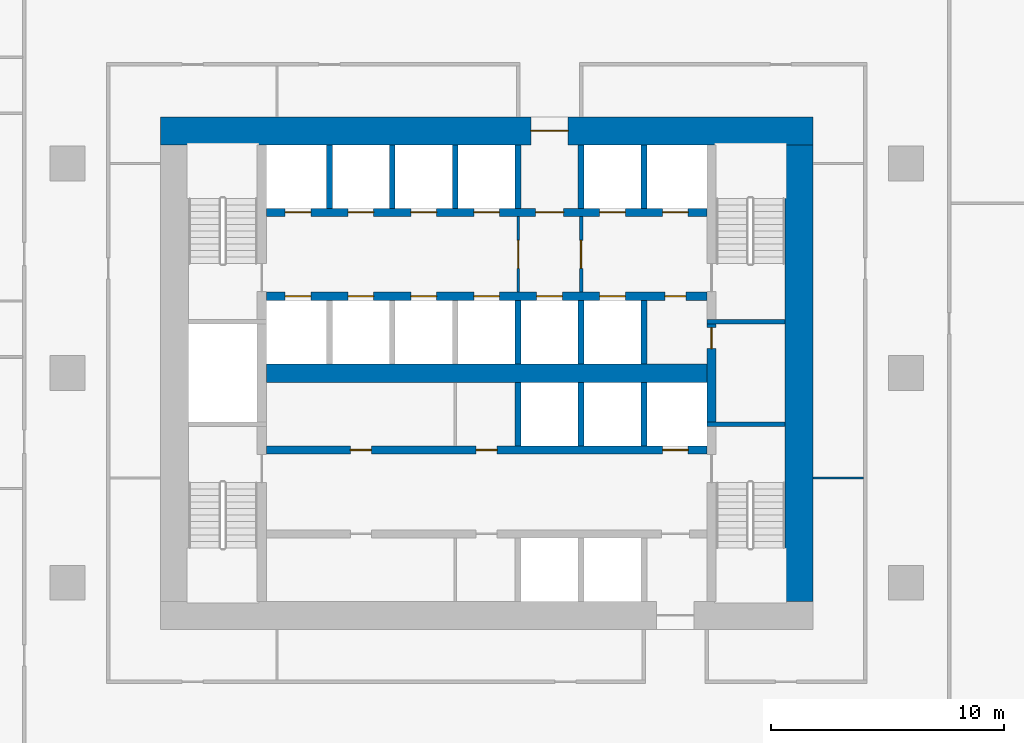
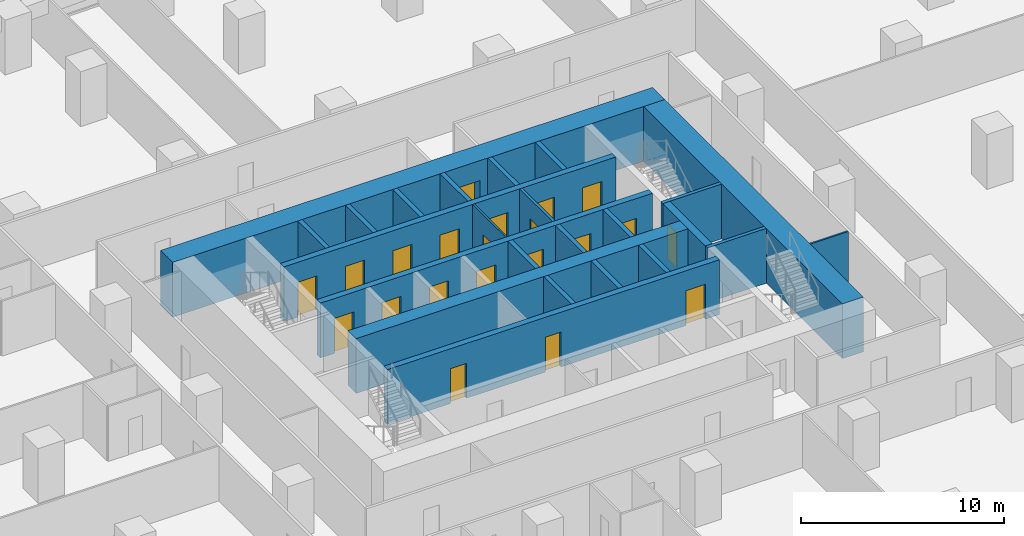
# One storey, part 16 of 25: 24 walls, 21 doors, 21 openings.
"""IFC4 building model written with IfcOpenShell, lengths in metres."""

import ifcopenshell
import ifcopenshell.guid

model = None  # the IFC model being written
_history = None  # IfcOwnerHistory: only IFC2X3 demands one
_inside = {}  # id of a spatial element -> (the spatial element, [elements in it])
_under = {}  # id of a project, library or spatial element -> (it, [spatial elements below it])
_declared = {}  # id of a project -> (the project, [libraries it declares])
_typed = {}  # id of a type object -> (the type object, [elements of that type])
_made_of = {}  # id of a material, layer set ... -> (it, [elements and type objects made of it])


def new_model(schema):
    """Start an empty IFC model of exactly this schema.

    Asked for "IFC4X3", IfcOpenShell would pick the latest addendum, in which some entities
    have other attributes; the version numbers below select the first issue.
    IFC2X3 requires an IfcOwnerHistory on every rooted entity: one is made here for all.
    """
    global model, _history
    if schema == "IFC4X3":
        model = ifcopenshell.file(schema_version=(4, 3, 0, 0))
    else:
        model = ifcopenshell.file(schema=schema)
    _inside.clear()
    _under.clear()
    _declared.clear()
    _typed.clear()
    _made_of.clear()
    _history = None
    if model.schema == "IFC2X3":
        org = make("IfcOrganization", Name="unknown")
        user = make(
            "IfcPersonAndOrganization",
            ThePerson=make("IfcPerson", FamilyName="unknown"),
            TheOrganization=org,
        )
        app = make(
            "IfcApplication",
            ApplicationDeveloper=org,
            Version="unknown",
            ApplicationFullName="unknown",
            ApplicationIdentifier="unknown",
        )
        _history = make(
            "IfcOwnerHistory",
            OwningUser=user,
            OwningApplication=app,
            ChangeAction="ADDED",
            CreationDate=0,
        )
    return model


def make(cls, **values):
    """One entity of the class cls with the attributes given. An attribute that is None is left unset."""
    return model.create_entity(
        cls, **{name: value for name, value in values.items() if value is not None}
    )


def rooted(cls, **values):
    """An entity with a GlobalId (a new one), such as an element, a storey or a relation."""
    return make(cls, GlobalId=ifcopenshell.guid.new(), OwnerHistory=_history, **values)


def si_unit(unit_type, name, prefix=None):
    """IfcSIUnit, for example si_unit("LENGTHUNIT", "METRE", prefix="MILLI")."""
    return make("IfcSIUnit", UnitType=unit_type, Prefix=prefix, Name=name)


def assignment(units):
    """IfcUnitAssignment: the units of a project."""
    return None if units is None else make("IfcUnitAssignment", Units=units)


def point(xyz):
    """IfcCartesianPoint."""
    return None if xyz is None else make("IfcCartesianPoint", Coordinates=xyz)


def direction(xyz):
    """IfcDirection."""
    return None if xyz is None else make("IfcDirection", DirectionRatios=xyz)


def frame(location, z_axis=None, x_axis=None):
    """IfcAxis2Placement3D, a coordinate frame: its origin and axes. An axis left out is left unset."""
    return make(
        "IfcAxis2Placement3D",
        Location=point(location),
        Axis=direction(z_axis),
        RefDirection=direction(x_axis),
    )


def frame_2d(location, x_axis=None):
    """IfcAxis2Placement2D, a coordinate frame in the plane: its origin and x axis."""
    return make(
        "IfcAxis2Placement2D", Location=point(location), RefDirection=direction(x_axis)
    )


def origin():
    """The frame at (0, 0, 0) with its axes left unset."""
    return frame((0.0, 0.0, 0.0))


def place(relative_to, where):
    """IfcLocalPlacement: puts the frame where relative to a parent placement (None: the world)."""
    return make(
        "IfcLocalPlacement", PlacementRelTo=relative_to, RelativePlacement=where
    )


def context(
    kind, dimensions, precision=None, world=None, true_north=None, identifier=None
):
    """IfcGeometricRepresentationContext, for example the 3D "Model" context."""
    return make(
        "IfcGeometricRepresentationContext",
        ContextIdentifier=identifier,
        ContextType=kind,
        CoordinateSpaceDimension=dimensions,
        Precision=precision,
        WorldCoordinateSystem=world,
        TrueNorth=true_north,
    )


def subcontext(parent, identifier, kind, view, scale=None):
    """IfcGeometricRepresentationSubContext, for example "Body" below "Model"."""
    return make(
        "IfcGeometricRepresentationSubContext",
        ContextIdentifier=identifier,
        ContextType=kind,
        ParentContext=parent,
        TargetScale=scale,
        TargetView=view,
    )


def project(units=None, contexts=None):
    """IfcProject with its units and contexts."""
    return rooted(
        "IfcProject",
        Name="project",
        RepresentationContexts=contexts,
        UnitsInContext=assignment(units),
    )


def spatial(cls, under=None, at=None, **own):
    """A site, building, storey or space (cls), placed at a placement, below another one or the project."""
    s = rooted(cls, ObjectPlacement=at, **own)
    if under is not None:
        _under.setdefault(under.id(), (under, []))[1].append(s)
    return s


def profile(cls, at=None, kind="AREA", **sizes):
    """A parametric profile (cls). Its sizes go by their IFC names, for example OverallWidth=200.0."""
    return make(cls, ProfileType=kind, Position=at, **sizes)


def rectangle(**sizes):
    """IfcRectangleProfileDef."""
    return profile("IfcRectangleProfileDef", **sizes)


def extrude(swept, where, along, depth):
    """IfcExtrudedAreaSolid: the profile swept, set in the frame where, extruded along a direction by depth."""
    return make(
        "IfcExtrudedAreaSolid",
        SweptArea=swept,
        Position=where,
        ExtrudedDirection=direction(along),
        Depth=depth,
    )


def shape(context_of_items, identifier, shape_type, items):
    """IfcShapeRepresentation: the items that make up one representation, for example the "Body"."""
    return make(
        "IfcShapeRepresentation",
        ContextOfItems=context_of_items,
        RepresentationIdentifier=identifier,
        RepresentationType=shape_type,
        Items=items,
    )


def material(Name=None, Category=None):
    """IfcMaterial."""
    return make("IfcMaterial", Name=Name, Category=Category)


def layer(
    of_material, thickness, ventilated=None, Name=None, Category=None, Priority=None
):
    """IfcMaterialLayer: one layer of a wall or slab, of a material (None: an air gap)."""
    return make(
        "IfcMaterialLayer",
        Material=of_material,
        LayerThickness=thickness,
        IsVentilated=ventilated,
        Name=Name,
        Category=Category,
        Priority=Priority,
    )


def layer_set(layers, Name=None):
    """IfcMaterialLayerSet."""
    return make("IfcMaterialLayerSet", MaterialLayers=layers, LayerSetName=Name)


def made_of(thing, what):
    """Note that an element or type object is made of a material, layer set ...; save() writes the relation."""
    if what is not None:
        _made_of.setdefault(what.id(), (what, []))[1].append(thing)
    return thing


def type_object(cls, material=None, **own):
    """A type object (cls), such as IfcWallType, which elements share."""
    return made_of(rooted(cls, **own), material)


def element(
    cls,
    number,
    at=None,
    inside=None,
    cuts=None,
    type_object=None,
    material=None,
    context=None,
    identifier="Body",
    shape_type=None,
    held_by="IfcProductDefinitionShape",
    body=None,
    shapes=None,
    **own,
):
    """One element of the class cls, such as IfcWall. Its Tag is "e" and its number.

    at: its placement. inside: the storey or other place that contains it. cuts: it is an
    opening in that element (IfcRelVoidsElement). A single representation is given by context,
    identifier, shape_type and body (its items); several are given by shapes. held_by: the class
    of the entity that holds the representations. save() writes the other relations.
    """
    e = rooted(cls, Tag="e%d" % number, ObjectPlacement=at, **own)
    if body is not None:
        shapes = [shape(context, identifier, shape_type, body)]
    if shapes is not None:
        e.Representation = make(held_by, Representations=shapes)
    if inside is not None:
        _inside.setdefault(inside.id(), (inside, []))[1].append(e)
    if cuts is not None:
        rooted(
            "IfcRelVoidsElement", RelatingBuildingElement=cuts, RelatedOpeningElement=e
        )
    if type_object is not None:
        _typed.setdefault(type_object.id(), (type_object, []))[1].append(e)
    return made_of(e, material)


def fill(opening, filler):
    """IfcRelFillsElement: the door or window that sits in an opening."""
    return rooted(
        "IfcRelFillsElement",
        RelatingOpeningElement=opening,
        RelatedBuildingElement=filler,
    )


def aggregate(whole, parts):
    """IfcRelAggregates: a whole, such as a stair, and the parts it consists of."""
    return rooted("IfcRelAggregates", RelatingObject=whole, RelatedObjects=parts)


def save(model, path):
    """Write the relations noted so far, then the file.

    IfcRelAggregates (storeys below a building ...), IfcRelContainedInSpatialStructure (elements
    in a storey), IfcRelDefinesByType, IfcRelAssociatesMaterial and IfcRelDeclares: one each for
    every whole, place, type object, material and project.
    """
    for whole, parts in _under.values():
        aggregate(whole, parts)
    for where, things in _inside.values():
        rooted(
            "IfcRelContainedInSpatialStructure",
            RelatedElements=things,
            RelatingStructure=where,
        )
    for kind, things in _typed.values():
        rooted("IfcRelDefinesByType", RelatedObjects=things, RelatingType=kind)
    for what, things in _made_of.values():
        rooted("IfcRelAssociatesMaterial", RelatedObjects=things, RelatingMaterial=what)
    for by, libraries in _declared.values():
        rooted("IfcRelDeclares", RelatingContext=by, RelatedDefinitions=libraries)
    model.write(path)


model = new_model("IFC4")

# Units and contexts
model_context = context("Model", 3, precision=1e-05, world=origin(), true_north=direction((0.0, 1.0)))
body_context = subcontext(model_context, "Body", "Model", "MODEL_VIEW")
ifc_project = project(units=[si_unit("LENGTHUNIT", "METRE"), si_unit("AREAUNIT", "SQUARE_METRE"), si_unit("VOLUMEUNIT", "CUBIC_METRE"), si_unit("PLANEANGLEUNIT", "RADIAN"), si_unit("MASSUNIT", "GRAM", prefix="KILO")], contexts=[model_context])

# Site, building, storey
site_placement = place(None, origin())
site = spatial("IfcSite", under=ifc_project, at=site_placement, CompositionType="ELEMENT")
building_placement = place(site_placement, origin())
building = spatial("IfcBuilding", under=site, at=building_placement, Name="Dongbaek Canopy Tower", CompositionType="ELEMENT")
storey_placement = place(building_placement, frame((0.0, 0.0, 81.0)))
storey = spatial("IfcBuildingStorey", under=building, at=storey_placement, Name="L16", CompositionType="ELEMENT", Elevation=81.0)

# Wall
ifc_material_1 = material(Name="Concrete C60/75", Category="concrete")
ifc_layer_1 = layer(ifc_material_1, 0.800048828125)
ifc_layer_set_1 = layer_set([ifc_layer_1], Name="Core central wall 800 Concrete C60/75")
wall_type_1 = type_object("IfcWallType", Name="Core central wall 800 Concrete C60/75", PredefinedType="SHEAR", material=ifc_layer_set_1)
wall_1_placement = place(storey_placement, frame((-9.449951171875, 0.0, 0.0), z_axis=(0.0, 0.0, 1.0), x_axis=(1.0, 0.0, 0.0)))
element("IfcWall", 1, at=wall_1_placement, inside=storey, type_object=wall_type_1, Name="Core wall", PredefinedType="SHEAR", context=body_context, shape_type="SweptSolid", body=[
    extrude(rectangle(XDim=18.89990234375, YDim=0.800048828125, at=frame_2d((9.449951171875, 0.0))), origin(), (0.0, 0.0, 1.0), 3.300048828125),
])

# Wall, openings, doors
ifc_material_2 = material(Name="Concrete C60/75", Category="concrete")
ifc_layer_2 = layer(ifc_material_2, 0.35009765625)
ifc_layer_set_2 = layer_set([ifc_layer_2], Name="Core lobby wall 350 Concrete C60/75")
wall_type_2 = type_object("IfcWallType", Name="Core lobby wall 350 Concrete C60/75", PredefinedType="SHEAR", material=ifc_layer_set_2)
wall_2_placement = place(storey_placement, frame((-9.449951171875, 6.89990234375, 0.0), z_axis=(0.0, 0.0, 1.0), x_axis=(1.0, 0.0, 0.0)))
wall_2 = element("IfcWall", 2, at=wall_2_placement, inside=storey, type_object=wall_type_2, Name="Core wall", PredefinedType="SHEAR", context=body_context, shape_type="SweptSolid", body=[
    extrude(rectangle(XDim=18.89990234375, YDim=0.35009765625, at=frame_2d((9.449951171875, 0.0))), origin(), (0.0, 0.0, 1.0), 3.300048828125),
])
opening_1_placement = place(wall_2_placement, frame((0.800048828125, 0.0, 0.0)))
opening_1 = element("IfcOpeningElement", 3, at=opening_1_placement, cuts=wall_2, Name="Opening L16-D023", PredefinedType="OPENING", context=body_context, shape_type="SweptSolid", body=[
    extrude(rectangle(XDim=1.10009765625, YDim=2.10009765625, at=frame_2d((0.550048828125, 1.050048828125))), frame((0.0, 0.18505859375, 0.0), z_axis=(0.0, -1.0, 0.0), x_axis=(1.0, 0.0, 0.0)), (0.0, 0.0, 1.0), 0.3701171875),
])
opening_2_placement = place(wall_2_placement, frame((3.5, 0.0, 0.0)))
opening_2 = element("IfcOpeningElement", 4, at=opening_2_placement, cuts=wall_2, Name="Opening L16-D024", PredefinedType="OPENING", context=body_context, shape_type="SweptSolid", body=[
    extrude(rectangle(XDim=1.10009765625, YDim=2.10009765625, at=frame_2d((0.550048828125, 1.050048828125))), frame((0.0, 0.18505859375, 0.0), z_axis=(0.0, -1.0, 0.0), x_axis=(1.0, 0.0, 0.0)), (0.0, 0.0, 1.0), 0.3701171875),
])
opening_3_placement = place(wall_2_placement, frame((6.199951171875, 0.0, 0.0)))
opening_3 = element("IfcOpeningElement", 5, at=opening_3_placement, cuts=wall_2, Name="Opening L16-D025", PredefinedType="OPENING", context=body_context, shape_type="SweptSolid", body=[
    extrude(rectangle(XDim=1.10009765625, YDim=2.10009765625, at=frame_2d((0.550048828125, 1.050048828125))), frame((0.0, 0.18505859375, 0.0), z_axis=(0.0, -1.0, 0.0), x_axis=(1.0, 0.0, 0.0)), (0.0, 0.0, 1.0), 0.3701171875),
])
opening_4_placement = place(wall_2_placement, frame((8.89990234375, 0.0, 0.0)))
opening_4 = element("IfcOpeningElement", 6, at=opening_4_placement, cuts=wall_2, Name="Opening L16-D026", PredefinedType="OPENING", context=body_context, shape_type="SweptSolid", body=[
    extrude(rectangle(XDim=1.10009765625, YDim=2.10009765625, at=frame_2d((0.550048828125, 1.050048828125))), frame((0.0, 0.18505859375, 0.0), z_axis=(0.0, -1.0, 0.0), x_axis=(1.0, 0.0, 0.0)), (0.0, 0.0, 1.0), 0.3701171875),
])
opening_5_placement = place(wall_2_placement, frame((11.550048828125, 0.0, 0.0)))
opening_5 = element("IfcOpeningElement", 7, at=opening_5_placement, cuts=wall_2, Name="Opening L16-D028", PredefinedType="OPENING", context=body_context, shape_type="SweptSolid", body=[
    extrude(rectangle(XDim=1.199951171875, YDim=2.10009765625, at=frame_2d((0.60009765625, 1.050048828125))), frame((0.0, 0.18505859375, 0.0), z_axis=(0.0, -1.0, 0.0), x_axis=(1.0, 0.0, 0.0)), (0.0, 0.0, 1.0), 0.3701171875),
])
opening_6_placement = place(wall_2_placement, frame((14.300048828125, 0.0, 0.0)))
opening_6 = element("IfcOpeningElement", 8, at=opening_6_placement, cuts=wall_2, Name="Opening L16-D029", PredefinedType="OPENING", context=body_context, shape_type="SweptSolid", body=[
    extrude(rectangle(XDim=1.10009765625, YDim=2.10009765625, at=frame_2d((0.550048828125, 1.050048828125))), frame((0.0, 0.18505859375, 0.0), z_axis=(0.0, -1.0, 0.0), x_axis=(1.0, 0.0, 0.0)), (0.0, 0.0, 1.0), 0.3701171875),
])
opening_7_placement = place(wall_2_placement, frame((17.0, 0.0, 0.0)))
opening_7 = element("IfcOpeningElement", 9, at=opening_7_placement, cuts=wall_2, Name="Opening L16-D030", PredefinedType="OPENING", context=body_context, shape_type="SweptSolid", body=[
    extrude(rectangle(XDim=1.10009765625, YDim=2.10009765625, at=frame_2d((0.550048828125, 1.050048828125))), frame((0.0, 0.18505859375, 0.0), z_axis=(0.0, -1.0, 0.0), x_axis=(1.0, 0.0, 0.0)), (0.0, 0.0, 1.0), 0.3701171875),
])
ifc_material_3 = material(Name="Steel", Category="steel")
door_type_1 = type_object("IfcDoorType", Name="Fire lobby door 1200 x 2100", OperationType="SINGLE_SWING_LEFT", PredefinedType="DOOR", material=ifc_material_3)
door_1_placement = place(opening_5_placement, origin())
door_1 = element("IfcDoor", 10, at=door_1_placement, inside=storey, type_object=door_type_1, Name="Door L16-D028", OperationType="SINGLE_SWING_LEFT", OverallHeight=2.10009765625, OverallWidth=1.199951171875, PredefinedType="DOOR", context=body_context, shape_type="SweptSolid", body=[
    extrude(rectangle(XDim=1.199951171875, YDim=2.10009765625, at=frame_2d((0.60009765625, 1.050048828125))), frame((0.0, 0.02490234375, 0.0), z_axis=(0.0, -1.0, 0.0), x_axis=(1.0, 0.0, 0.0)), (0.0, 0.0, 1.0), 0.050048828125),
])
fill(opening_5, door_1)
ifc_material_4 = material(Name="Stainless steel", Category="steel")
door_type_2 = type_object("IfcDoorType", Name="Lift landing door 1100 x 2100", OperationType="DOUBLE_DOOR_SLIDING", PredefinedType="DOOR", material=ifc_material_4)
door_2_placement = place(opening_1_placement, origin())
door_2 = element("IfcDoor", 11, at=door_2_placement, inside=storey, type_object=door_type_2, Name="Landing door LR1", OperationType="DOUBLE_DOOR_SLIDING", OverallHeight=2.10009765625, OverallWidth=1.10009765625, PredefinedType="DOOR", context=body_context, shape_type="SweptSolid", body=[
    extrude(rectangle(XDim=1.10009765625, YDim=2.10009765625, at=frame_2d((0.550048828125, 1.050048828125))), frame((0.0, 0.02490234375, 0.0), z_axis=(0.0, -1.0, 0.0), x_axis=(1.0, 0.0, 0.0)), (0.0, 0.0, 1.0), 0.050048828125),
])
fill(opening_1, door_2)
door_3_placement = place(opening_2_placement, origin())
door_3 = element("IfcDoor", 12, at=door_3_placement, inside=storey, type_object=door_type_2, Name="Landing door LR2", OperationType="DOUBLE_DOOR_SLIDING", OverallHeight=2.10009765625, OverallWidth=1.10009765625, PredefinedType="DOOR", context=body_context, shape_type="SweptSolid", body=[
    extrude(rectangle(XDim=1.10009765625, YDim=2.10009765625, at=frame_2d((0.550048828125, 1.050048828125))), frame((0.0, 0.02490234375, 0.0), z_axis=(0.0, -1.0, 0.0), x_axis=(1.0, 0.0, 0.0)), (0.0, 0.0, 1.0), 0.050048828125),
])
fill(opening_2, door_3)
door_4_placement = place(opening_3_placement, origin())
door_4 = element("IfcDoor", 13, at=door_4_placement, inside=storey, type_object=door_type_2, Name="Landing door LR3", OperationType="DOUBLE_DOOR_SLIDING", OverallHeight=2.10009765625, OverallWidth=1.10009765625, PredefinedType="DOOR", context=body_context, shape_type="SweptSolid", body=[
    extrude(rectangle(XDim=1.10009765625, YDim=2.10009765625, at=frame_2d((0.550048828125, 1.050048828125))), frame((0.0, 0.02490234375, 0.0), z_axis=(0.0, -1.0, 0.0), x_axis=(1.0, 0.0, 0.0)), (0.0, 0.0, 1.0), 0.050048828125),
])
fill(opening_3, door_4)
door_5_placement = place(opening_4_placement, origin())
door_5 = element("IfcDoor", 14, at=door_5_placement, inside=storey, type_object=door_type_2, Name="Landing door LR4", OperationType="DOUBLE_DOOR_SLIDING", OverallHeight=2.10009765625, OverallWidth=1.10009765625, PredefinedType="DOOR", context=body_context, shape_type="SweptSolid", body=[
    extrude(rectangle(XDim=1.10009765625, YDim=2.10009765625, at=frame_2d((0.550048828125, 1.050048828125))), frame((0.0, 0.02490234375, 0.0), z_axis=(0.0, -1.0, 0.0), x_axis=(1.0, 0.0, 0.0)), (0.0, 0.0, 1.0), 0.050048828125),
])
fill(opening_4, door_5)
door_6_placement = place(opening_6_placement, origin())
door_6 = element("IfcDoor", 15, at=door_6_placement, inside=storey, type_object=door_type_2, Name="Landing door FF1", OperationType="DOUBLE_DOOR_SLIDING", OverallHeight=2.10009765625, OverallWidth=1.10009765625, PredefinedType="DOOR", context=body_context, shape_type="SweptSolid", body=[
    extrude(rectangle(XDim=1.10009765625, YDim=2.10009765625, at=frame_2d((0.550048828125, 1.050048828125))), frame((0.0, 0.02490234375, 0.0), z_axis=(0.0, -1.0, 0.0), x_axis=(1.0, 0.0, 0.0)), (0.0, 0.0, 1.0), 0.050048828125),
])
fill(opening_6, door_6)
door_7_placement = place(opening_7_placement, origin())
door_7 = element("IfcDoor", 16, at=door_7_placement, inside=storey, type_object=door_type_2, Name="Landing door FF2", OperationType="DOUBLE_DOOR_SLIDING", OverallHeight=2.10009765625, OverallWidth=1.10009765625, PredefinedType="DOOR", context=body_context, shape_type="SweptSolid", body=[
    extrude(rectangle(XDim=1.10009765625, YDim=2.10009765625, at=frame_2d((0.550048828125, 1.050048828125))), frame((0.0, 0.02490234375, 0.0), z_axis=(0.0, -1.0, 0.0), x_axis=(1.0, 0.0, 0.0)), (0.0, 0.0, 1.0), 0.050048828125),
])
fill(opening_7, door_7)

wall_3_placement = place(storey_placement, frame((9.449951171875, 3.300048828125, 0.0), z_axis=(0.0, 0.0, 1.0), x_axis=(-1.0, 0.0, 0.0)))
wall_3 = element("IfcWall", 17, at=wall_3_placement, inside=storey, type_object=wall_type_2, Name="Core wall", PredefinedType="SHEAR", context=body_context, shape_type="SweptSolid", body=[
    extrude(rectangle(XDim=18.89990234375, YDim=0.35009765625, at=frame_2d((9.449951171875, 0.0))), origin(), (0.0, 0.0, 1.0), 3.300048828125),
])
opening_8_placement = place(wall_3_placement, frame((17.0, 0.0, 0.0)))
opening_8 = element("IfcOpeningElement", 18, at=opening_8_placement, cuts=wall_3, Name="Opening L16-D031", PredefinedType="OPENING", context=body_context, shape_type="SweptSolid", body=[
    extrude(rectangle(XDim=1.10009765625, YDim=2.10009765625, at=frame_2d((0.550048828125, 1.050048828125))), frame((0.0, 0.18505859375, 0.0), z_axis=(0.0, -1.0, 0.0), x_axis=(1.0, 0.0, 0.0)), (0.0, 0.0, 1.0), 0.3701171875),
])
opening_9_placement = place(wall_3_placement, frame((14.300048828125, 0.0, 0.0)))
opening_9 = element("IfcOpeningElement", 19, at=opening_9_placement, cuts=wall_3, Name="Opening L16-D032", PredefinedType="OPENING", context=body_context, shape_type="SweptSolid", body=[
    extrude(rectangle(XDim=1.10009765625, YDim=2.10009765625, at=frame_2d((0.550048828125, 1.050048828125))), frame((0.0, 0.18505859375, 0.0), z_axis=(0.0, -1.0, 0.0), x_axis=(1.0, 0.0, 0.0)), (0.0, 0.0, 1.0), 0.3701171875),
])
opening_10_placement = place(wall_3_placement, frame((11.60009765625, 0.0, 0.0)))
opening_10 = element("IfcOpeningElement", 20, at=opening_10_placement, cuts=wall_3, Name="Opening L16-D033", PredefinedType="OPENING", context=body_context, shape_type="SweptSolid", body=[
    extrude(rectangle(XDim=1.10009765625, YDim=2.10009765625, at=frame_2d((0.550048828125, 1.050048828125))), frame((0.0, 0.18505859375, 0.0), z_axis=(0.0, -1.0, 0.0), x_axis=(1.0, 0.0, 0.0)), (0.0, 0.0, 1.0), 0.3701171875),
])
opening_11_placement = place(wall_3_placement, frame((8.89990234375, 0.0, 0.0)))
opening_11 = element("IfcOpeningElement", 21, at=opening_11_placement, cuts=wall_3, Name="Opening L16-D034", PredefinedType="OPENING", context=body_context, shape_type="SweptSolid", body=[
    extrude(rectangle(XDim=1.10009765625, YDim=2.10009765625, at=frame_2d((0.550048828125, 1.050048828125))), frame((0.0, 0.18505859375, 0.0), z_axis=(0.0, -1.0, 0.0), x_axis=(1.0, 0.0, 0.0)), (0.0, 0.0, 1.0), 0.3701171875),
])
opening_12_placement = place(wall_3_placement, frame((6.199951171875, 0.0, 0.0)))
opening_12 = element("IfcOpeningElement", 22, at=opening_12_placement, cuts=wall_3, Name="Opening L16-D035", PredefinedType="OPENING", context=body_context, shape_type="SweptSolid", body=[
    extrude(rectangle(XDim=1.10009765625, YDim=2.10009765625, at=frame_2d((0.550048828125, 1.050048828125))), frame((0.0, 0.18505859375, 0.0), z_axis=(0.0, -1.0, 0.0), x_axis=(1.0, 0.0, 0.0)), (0.0, 0.0, 1.0), 0.3701171875),
])
opening_13_placement = place(wall_3_placement, frame((3.5, 0.0, 0.0)))
opening_13 = element("IfcOpeningElement", 23, at=opening_13_placement, cuts=wall_3, Name="Opening L16-D036", PredefinedType="OPENING", context=body_context, shape_type="SweptSolid", body=[
    extrude(rectangle(XDim=1.10009765625, YDim=2.10009765625, at=frame_2d((0.550048828125, 1.050048828125))), frame((0.0, 0.18505859375, 0.0), z_axis=(0.0, -1.0, 0.0), x_axis=(1.0, 0.0, 0.0)), (0.0, 0.0, 1.0), 0.3701171875),
])
opening_14_placement = place(wall_3_placement, frame((0.89990234375, 0.0, 0.0)))
opening_14 = element("IfcOpeningElement", 24, at=opening_14_placement, cuts=wall_3, Name="Opening L16-D037", PredefinedType="OPENING", context=body_context, shape_type="SweptSolid", body=[
    extrude(rectangle(XDim=0.89990234375, YDim=2.10009765625, at=frame_2d((0.449951171875, 1.050048828125))), frame((0.0, 0.18505859375, 0.0), z_axis=(0.0, -1.0, 0.0), x_axis=(1.0, 0.0, 0.0)), (0.0, 0.0, 1.0), 0.3701171875),
])
ifc_material_5 = material(Name="Steel", Category="steel")
door_type_3 = type_object("IfcDoorType", Name="Core room door 900 x 2100", OperationType="SINGLE_SWING_LEFT", PredefinedType="DOOR", material=ifc_material_5)
door_8_placement = place(opening_14_placement, origin())
door_8 = element("IfcDoor", 25, at=door_8_placement, inside=storey, type_object=door_type_3, Name="Door L16-D037", OperationType="SINGLE_SWING_LEFT", OverallHeight=2.10009765625, OverallWidth=0.89990234375, PredefinedType="DOOR", context=body_context, shape_type="SweptSolid", body=[
    extrude(rectangle(XDim=0.89990234375, YDim=2.10009765625, at=frame_2d((0.449951171875, 1.050048828125))), frame((0.0, 0.02490234375, 0.0), z_axis=(0.0, -1.0, 0.0), x_axis=(1.0, 0.0, 0.0)), (0.0, 0.0, 1.0), 0.050048828125),
])
fill(opening_14, door_8)
door_9_placement = place(opening_8_placement, origin())
door_9 = element("IfcDoor", 26, at=door_9_placement, inside=storey, type_object=door_type_2, Name="Landing door LR5", OperationType="DOUBLE_DOOR_SLIDING", OverallHeight=2.10009765625, OverallWidth=1.10009765625, PredefinedType="DOOR", context=body_context, shape_type="SweptSolid", body=[
    extrude(rectangle(XDim=1.10009765625, YDim=2.10009765625, at=frame_2d((0.550048828125, 1.050048828125))), frame((0.0, 0.02490234375, 0.0), z_axis=(0.0, -1.0, 0.0), x_axis=(1.0, 0.0, 0.0)), (0.0, 0.0, 1.0), 0.050048828125),
])
fill(opening_8, door_9)
door_10_placement = place(opening_9_placement, origin())
door_10 = element("IfcDoor", 27, at=door_10_placement, inside=storey, type_object=door_type_2, Name="Landing door LR6", OperationType="DOUBLE_DOOR_SLIDING", OverallHeight=2.10009765625, OverallWidth=1.10009765625, PredefinedType="DOOR", context=body_context, shape_type="SweptSolid", body=[
    extrude(rectangle(XDim=1.10009765625, YDim=2.10009765625, at=frame_2d((0.550048828125, 1.050048828125))), frame((0.0, 0.02490234375, 0.0), z_axis=(0.0, -1.0, 0.0), x_axis=(1.0, 0.0, 0.0)), (0.0, 0.0, 1.0), 0.050048828125),
])
fill(opening_9, door_10)
door_11_placement = place(opening_10_placement, origin())
door_11 = element("IfcDoor", 28, at=door_11_placement, inside=storey, type_object=door_type_2, Name="Landing door LR7", OperationType="DOUBLE_DOOR_SLIDING", OverallHeight=2.10009765625, OverallWidth=1.10009765625, PredefinedType="DOOR", context=body_context, shape_type="SweptSolid", body=[
    extrude(rectangle(XDim=1.10009765625, YDim=2.10009765625, at=frame_2d((0.550048828125, 1.050048828125))), frame((0.0, 0.02490234375, 0.0), z_axis=(0.0, -1.0, 0.0), x_axis=(1.0, 0.0, 0.0)), (0.0, 0.0, 1.0), 0.050048828125),
])
fill(opening_10, door_11)
door_12_placement = place(opening_11_placement, origin())
door_12 = element("IfcDoor", 29, at=door_12_placement, inside=storey, type_object=door_type_2, Name="Landing door LR8", OperationType="DOUBLE_DOOR_SLIDING", OverallHeight=2.10009765625, OverallWidth=1.10009765625, PredefinedType="DOOR", context=body_context, shape_type="SweptSolid", body=[
    extrude(rectangle(XDim=1.10009765625, YDim=2.10009765625, at=frame_2d((0.550048828125, 1.050048828125))), frame((0.0, 0.02490234375, 0.0), z_axis=(0.0, -1.0, 0.0), x_axis=(1.0, 0.0, 0.0)), (0.0, 0.0, 1.0), 0.050048828125),
])
fill(opening_11, door_12)
door_13_placement = place(opening_12_placement, origin())
door_13 = element("IfcDoor", 30, at=door_13_placement, inside=storey, type_object=door_type_2, Name="Landing door SV1", OperationType="DOUBLE_DOOR_SLIDING", OverallHeight=2.10009765625, OverallWidth=1.10009765625, PredefinedType="DOOR", context=body_context, shape_type="SweptSolid", body=[
    extrude(rectangle(XDim=1.10009765625, YDim=2.10009765625, at=frame_2d((0.550048828125, 1.050048828125))), frame((0.0, 0.02490234375, 0.0), z_axis=(0.0, -1.0, 0.0), x_axis=(1.0, 0.0, 0.0)), (0.0, 0.0, 1.0), 0.050048828125),
])
fill(opening_12, door_13)
door_14_placement = place(opening_13_placement, origin())
door_14 = element("IfcDoor", 31, at=door_14_placement, inside=storey, type_object=door_type_2, Name="Landing door FF3", OperationType="DOUBLE_DOOR_SLIDING", OverallHeight=2.10009765625, OverallWidth=1.10009765625, PredefinedType="DOOR", context=body_context, shape_type="SweptSolid", body=[
    extrude(rectangle(XDim=1.10009765625, YDim=2.10009765625, at=frame_2d((0.550048828125, 1.050048828125))), frame((0.0, 0.02490234375, 0.0), z_axis=(0.0, -1.0, 0.0), x_axis=(1.0, 0.0, 0.0)), (0.0, 0.0, 1.0), 0.050048828125),
])
fill(opening_13, door_14)

wall_4_placement = place(storey_placement, frame((-9.449951171875, -3.300048828125, 0.0), z_axis=(0.0, 0.0, 1.0), x_axis=(1.0, 0.0, 0.0)))
wall_4 = element("IfcWall", 32, at=wall_4_placement, inside=storey, type_object=wall_type_2, Name="Core wall", PredefinedType="SHEAR", context=body_context, shape_type="SweptSolid", body=[
    extrude(rectangle(XDim=18.89990234375, YDim=0.35009765625, at=frame_2d((9.449951171875, 0.0))), origin(), (0.0, 0.0, 1.0), 3.300048828125),
])
opening_15_placement = place(wall_4_placement, frame((17.0, 0.0, 0.0)))
opening_15 = element("IfcOpeningElement", 33, at=opening_15_placement, cuts=wall_4, Name="Opening L16-D038", PredefinedType="OPENING", context=body_context, shape_type="SweptSolid", body=[
    extrude(rectangle(XDim=1.10009765625, YDim=2.10009765625, at=frame_2d((0.550048828125, 1.050048828125))), frame((0.0, 0.18505859375, 0.0), z_axis=(0.0, -1.0, 0.0), x_axis=(1.0, 0.0, 0.0)), (0.0, 0.0, 1.0), 0.3701171875),
])
opening_16_placement = place(wall_4_placement, frame((3.60009765625, 0.0, 0.0)))
opening_16 = element("IfcOpeningElement", 34, at=opening_16_placement, cuts=wall_4, Name="Opening L16-D041", PredefinedType="OPENING", context=body_context, shape_type="SweptSolid", body=[
    extrude(rectangle(XDim=0.89990234375, YDim=2.10009765625, at=frame_2d((0.449951171875, 1.050048828125))), frame((0.0, 0.18505859375, 0.0), z_axis=(0.0, -1.0, 0.0), x_axis=(1.0, 0.0, 0.0)), (0.0, 0.0, 1.0), 0.3701171875),
])
opening_17_placement = place(wall_4_placement, frame((9.0, 0.0, 0.0)))
opening_17 = element("IfcOpeningElement", 35, at=opening_17_placement, cuts=wall_4, Name="Opening L16-D042", PredefinedType="OPENING", context=body_context, shape_type="SweptSolid", body=[
    extrude(rectangle(XDim=0.89990234375, YDim=2.10009765625, at=frame_2d((0.449951171875, 1.050048828125))), frame((0.0, 0.18505859375, 0.0), z_axis=(0.0, -1.0, 0.0), x_axis=(1.0, 0.0, 0.0)), (0.0, 0.0, 1.0), 0.3701171875),
])
door_15_placement = place(opening_16_placement, origin())
door_15 = element("IfcDoor", 36, at=door_15_placement, inside=storey, type_object=door_type_3, Name="Door L16-D041", OperationType="SINGLE_SWING_RIGHT", OverallHeight=2.10009765625, OverallWidth=0.89990234375, PredefinedType="DOOR", context=body_context, shape_type="SweptSolid", body=[
    extrude(rectangle(XDim=0.89990234375, YDim=2.10009765625, at=frame_2d((0.449951171875, 1.050048828125))), frame((0.0, 0.02490234375, 0.0), z_axis=(0.0, -1.0, 0.0), x_axis=(1.0, 0.0, 0.0)), (0.0, 0.0, 1.0), 0.050048828125),
])
fill(opening_16, door_15)
door_16_placement = place(opening_17_placement, origin())
door_16 = element("IfcDoor", 37, at=door_16_placement, inside=storey, type_object=door_type_3, Name="Door L16-D042", OperationType="SINGLE_SWING_LEFT", OverallHeight=2.10009765625, OverallWidth=0.89990234375, PredefinedType="DOOR", context=body_context, shape_type="SweptSolid", body=[
    extrude(rectangle(XDim=0.89990234375, YDim=2.10009765625, at=frame_2d((0.449951171875, 1.050048828125))), frame((0.0, 0.02490234375, 0.0), z_axis=(0.0, -1.0, 0.0), x_axis=(1.0, 0.0, 0.0)), (0.0, 0.0, 1.0), 0.050048828125),
])
fill(opening_17, door_16)
door_17_placement = place(opening_15_placement, origin())
door_17 = element("IfcDoor", 38, at=door_17_placement, inside=storey, type_object=door_type_2, Name="Landing door SV2", OperationType="DOUBLE_DOOR_SLIDING", OverallHeight=2.10009765625, OverallWidth=1.10009765625, PredefinedType="DOOR", context=body_context, shape_type="SweptSolid", body=[
    extrude(rectangle(XDim=1.10009765625, YDim=2.10009765625, at=frame_2d((0.550048828125, 1.050048828125))), frame((0.0, 0.02490234375, 0.0), z_axis=(0.0, -1.0, 0.0), x_axis=(1.0, 0.0, 0.0)), (0.0, 0.0, 1.0), 0.050048828125),
])
fill(opening_15, door_17)

# Wall, opening, door
ifc_material_6 = material(Name="Concrete C60/75", Category="concrete")
ifc_layer_3 = layer(ifc_material_6, 1.199951171875)
ifc_layer_set_3 = layer_set([ifc_layer_3], Name="Core outer wall 1200 Concrete C60/75")
wall_type_3 = type_object("IfcWallType", Name="Core outer wall 1200 Concrete C60/75", PredefinedType="SHEAR", material=ifc_layer_set_3)
wall_5_placement = place(storey_placement, frame((-14.0, 10.39990234375, 0.0), z_axis=(0.0, 0.0, 1.0), x_axis=(1.0, 0.0, 0.0)))
wall_5 = element("IfcWall", 39, at=wall_5_placement, inside=storey, type_object=wall_type_3, Name="Core wall", PredefinedType="SHEAR", context=body_context, shape_type="SweptSolid", body=[
    extrude(rectangle(XDim=28.0, YDim=1.199951171875, at=frame_2d((14.0, 0.0))), origin(), (0.0, 0.0, 1.0), 3.300048828125),
])
opening_18_placement = place(wall_5_placement, frame((15.89990234375, 0.0, 0.0)))
opening_18 = element("IfcOpeningElement", 40, at=opening_18_placement, cuts=wall_5, Name="Opening L16-D027", PredefinedType="OPENING", context=body_context, shape_type="SweptSolid", body=[
    extrude(rectangle(XDim=1.60009765625, YDim=2.10009765625, at=frame_2d((0.800048828125, 1.050048828125))), frame((0.0, 0.60986328125, 0.0), z_axis=(0.0, -1.0, 0.0), x_axis=(1.0, 0.0, 0.0)), (0.0, 0.0, 1.0), 1.219970703125),
])
ifc_material_7 = material(Name="Steel", Category="steel")
door_type_4 = type_object("IfcDoorType", Name="Core exit door 1600 x 2100", OperationType="DOUBLE_DOOR_SINGLE_SWING", PredefinedType="DOOR", material=ifc_material_7)
door_18_placement = place(opening_18_placement, origin())
door_18 = element("IfcDoor", 41, at=door_18_placement, inside=storey, type_object=door_type_4, Name="Core exit door", OperationType="DOUBLE_DOOR_SINGLE_SWING", OverallHeight=2.10009765625, OverallWidth=1.60009765625, PredefinedType="DOOR", context=body_context, shape_type="SweptSolid", body=[
    extrude(rectangle(XDim=1.60009765625, YDim=2.10009765625, at=frame_2d((0.800048828125, 1.050048828125))), frame((0.0, 0.02490234375, 0.0), z_axis=(0.0, -1.0, 0.0), x_axis=(1.0, 0.0, 0.0)), (0.0, 0.0, 1.0), 0.050048828125),
])
fill(opening_18, door_18)

# Wall
wall_6_placement = place(storey_placement, frame((13.39990234375, 9.800048828125, 0.0), z_axis=(0.0, 0.0, 1.0), x_axis=(0.0, -1.0, 0.0)))
element("IfcWall", 42, at=wall_6_placement, inside=storey, type_object=wall_type_3, Name="Core wall", PredefinedType="SHEAR", context=body_context, shape_type="SweptSolid", body=[
    extrude(rectangle(XDim=19.60009765625, YDim=1.199951171875, at=frame_2d((9.800048828125, 0.0))), origin(), (0.0, 0.0, 1.0), 3.300048828125),
])

# Wall, opening, door
ifc_material_8 = material(Name="Gypsum board partition, steel stud, 2 x 15 mm fire board", Category="steel")
ifc_layer_4 = layer(ifc_material_8, 0.14990234375)
ifc_layer_set_4 = layer_set([ifc_layer_4], Name="Fire-rated partition 150 gypsum board")
wall_type_4 = type_object("IfcWallType", Name="Fire-rated partition 150 gypsum board", PredefinedType="PARTITIONING", material=ifc_layer_set_4)
wall_7_placement = place(storey_placement, frame((4.050048828125, 6.72509765625, 0.0), z_axis=(0.0, 0.0, 1.0), x_axis=(0.0, -1.0, 0.0)))
wall_7 = element("IfcWall", 43, at=wall_7_placement, inside=storey, type_object=wall_type_4, Name="Fire lobby partition", PredefinedType="PARTITIONING", context=body_context, shape_type="SweptSolid", body=[
    extrude(rectangle(XDim=3.25, YDim=0.14990234375, at=frame_2d((1.625, 0.0))), origin(), (0.0, 0.0, 1.0), 3.300048828125),
])
opening_19_placement = place(wall_7_placement, frame((1.02490234375, 0.0, 0.0)))
opening_19 = element("IfcOpeningElement", 44, at=opening_19_placement, cuts=wall_7, Name="Opening L16-D050", PredefinedType="OPENING", context=body_context, shape_type="SweptSolid", body=[
    extrude(rectangle(XDim=1.199951171875, YDim=2.10009765625, at=frame_2d((0.60009765625, 1.050048828125))), frame((0.0, 0.0849609375, 0.0), z_axis=(0.0, -1.0, 0.0), x_axis=(1.0, 0.0, 0.0)), (0.0, 0.0, 1.0), 0.169921875),
])
door_19_placement = place(opening_19_placement, origin())
door_19 = element("IfcDoor", 45, at=door_19_placement, inside=storey, type_object=door_type_1, Name="Door L16-D050", OperationType="SINGLE_SWING_RIGHT", OverallHeight=2.10009765625, OverallWidth=1.199951171875, PredefinedType="DOOR", context=body_context, shape_type="SweptSolid", body=[
    extrude(rectangle(XDim=1.199951171875, YDim=2.10009765625, at=frame_2d((0.60009765625, 1.050048828125))), frame((0.0, 0.02490234375, 0.0), z_axis=(0.0, -1.0, 0.0), x_axis=(1.0, 0.0, 0.0)), (0.0, 0.0, 1.0), 0.050048828125),
])
fill(opening_19, door_19)

# Walls
ifc_material_9 = material(Name="Concrete C40/50", Category="concrete")
ifc_layer_5 = layer(ifc_material_9, 0.25)
ifc_layer_set_5 = layer_set([ifc_layer_5], Name="Lift shaft wall 250 Concrete C40/50")
wall_type_5 = type_object("IfcWallType", Name="Lift shaft wall 250 Concrete C40/50", PredefinedType="SOLIDWALL", material=ifc_layer_set_5)
for number, where, z_axis, x_axis, name in (
    (46, (6.75, -3.125, 0.0), (0.0, 0.0, 1.0), (0.0, 1.0, 0.0), "Lift shaft wall"),
    (47, (6.75, 0.39990234375, 0.0), (0.0, 0.0, 1.0), (0.0, 1.0, 0.0), "Lift shaft wall"),
    (48, (6.75, 7.074951171875, 0.0), (0.0, 0.0, 1.0), (0.0, 1.0, 0.0), "Lift shaft wall"),
    (49, (4.050048828125, -3.125, 0.0), (0.0, 0.0, 1.0), (0.0, 1.0, 0.0), "Lift shaft wall"),
    (50, (4.050048828125, 0.39990234375, 0.0), (0.0, 0.0, 1.0), (0.0, 1.0, 0.0), "Lift shaft wall"),
    (51, (4.050048828125, 7.074951171875, 0.0), (0.0, 0.0, 1.0), (0.0, 1.0, 0.0), "Lift shaft wall"),
    (52, (1.35009765625, -3.125, 0.0), (0.0, 0.0, 1.0), (0.0, 1.0, 0.0), "Lift shaft wall"),
    (53, (1.35009765625, 0.39990234375, 0.0), (0.0, 0.0, 1.0), (0.0, 1.0, 0.0), "Lift shaft wall"),
    (54, (1.35009765625, 7.074951171875, 0.0), (0.0, 0.0, 1.0), (0.0, 1.0, 0.0), "Lift shaft wall"),
    (55, (-1.35009765625, 7.074951171875, 0.0), (0.0, 0.0, 1.0), (0.0, 1.0, 0.0), "Lift shaft wall"),
    (56, (-4.050048828125, 7.074951171875, 0.0), (0.0, 0.0, 1.0), (0.0, 1.0, 0.0), "Lift shaft wall"),
    (57, (-6.75, 7.074951171875, 0.0), (0.0, 0.0, 1.0), (0.0, 1.0, 0.0), "Lift shaft wall"),
):
    element("IfcWall", number, at=place(storey_placement, frame(where, z_axis=z_axis, x_axis=x_axis)), inside=storey, type_object=wall_type_5, Name=name, PredefinedType="SOLIDWALL", context=body_context, shape_type="SweptSolid", body=[
        extrude(rectangle(XDim=2.72509765625, YDim=0.25, at=frame_2d((1.362548828125, 0.0))), origin(), (0.0, 0.0, 1.0), 3.300048828125),
    ])
ifc_material_10 = material(Name="Gypsum board partition, steel stud, 2 x 12.5 mm board", Category="steel")
ifc_layer_6 = layer(ifc_material_10, 0.10009765625)
ifc_layer_set_6 = layer_set([ifc_layer_6], Name="Partition 100 gypsum board")
wall_type_6 = type_object("IfcWallType", Name="Partition 100 gypsum board", PredefinedType="PARTITIONING", material=ifc_layer_set_6)
wall_8_placement = place(storey_placement, frame((14.0, -4.5, 0.0), z_axis=(0.0, 0.0, 1.0), x_axis=(1.0, 0.0, 0.0)))
element("IfcWall", 58, at=wall_8_placement, inside=storey, type_object=wall_type_6, Name="Partition", PredefinedType="PARTITIONING", context=body_context, shape_type="SweptSolid", body=[
    extrude(rectangle(XDim=2.175048828125, YDim=0.10009765625, at=frame_2d((1.08740234375, 0.0))), origin(), (0.0, 0.0, 1.0), 3.300048828125),
])

# Wall, opening, door
wall_9_placement = place(storey_placement, frame((1.35009765625, 6.72509765625, 0.0), z_axis=(0.0, 0.0, 1.0), x_axis=(0.0, -1.0, 0.0)))
wall_9 = element("IfcWall", 59, at=wall_9_placement, inside=storey, type_object=wall_type_6, Name="Core partition", PredefinedType="PARTITIONING", context=body_context, shape_type="SweptSolid", body=[
    extrude(rectangle(XDim=3.25, YDim=0.10009765625, at=frame_2d((1.625, 0.0))), origin(), (0.0, 0.0, 1.0), 3.300048828125),
])
opening_20_placement = place(wall_9_placement, frame((1.02490234375, 0.0, 0.0)))
opening_20 = element("IfcOpeningElement", 60, at=opening_20_placement, cuts=wall_9, Name="Opening L16-D049", PredefinedType="OPENING", context=body_context, shape_type="SweptSolid", body=[
    extrude(rectangle(XDim=1.199951171875, YDim=2.10009765625, at=frame_2d((0.60009765625, 1.050048828125))), frame((0.0, 0.06005859375, 0.0), z_axis=(0.0, -1.0, 0.0), x_axis=(1.0, 0.0, 0.0)), (0.0, 0.0, 1.0), 0.1201171875),
])
door_20_placement = place(opening_20_placement, origin())
door_20 = element("IfcDoor", 61, at=door_20_placement, inside=storey, type_object=door_type_1, Name="Door L16-D049", OperationType="SINGLE_SWING_LEFT", OverallHeight=2.10009765625, OverallWidth=1.199951171875, PredefinedType="DOOR", context=body_context, shape_type="SweptSolid", body=[
    extrude(rectangle(XDim=1.199951171875, YDim=2.10009765625, at=frame_2d((0.60009765625, 1.050048828125))), frame((0.0, 0.02490234375, 0.0), z_axis=(0.0, -1.0, 0.0), x_axis=(1.0, 0.0, 0.0)), (0.0, 0.0, 1.0), 0.050048828125),
])
fill(opening_20, door_20)

# Walls
ifc_material_11 = material(Name="Concrete C60/75", Category="concrete")
ifc_layer_7 = layer(ifc_material_11, 0.199951171875)
ifc_layer_set_7 = layer_set([ifc_layer_7], Name="Riser wall 200 Concrete C60/75")
wall_type_7 = type_object("IfcWallType", Name="Riser wall 200 Concrete C60/75", PredefinedType="SHEAR", material=ifc_layer_set_7)
for number, where, z_axis, x_axis, name in (
    (62, (9.449951171875, 2.199951171875, 0.0), (0.0, 0.0, 1.0), (1.0, 0.0, 0.0), "Riser wall"),
    (63, (9.449951171875, -2.199951171875, 0.0), (0.0, 0.0, 1.0), (1.0, 0.0, 0.0), "Riser wall"),
):
    element("IfcWall", number, at=place(storey_placement, frame(where, z_axis=z_axis, x_axis=x_axis)), inside=storey, type_object=wall_type_7, Name=name, PredefinedType="SHEAR", context=body_context, shape_type="SweptSolid", body=[
        extrude(rectangle(XDim=3.35009765625, YDim=0.199951171875, at=frame_2d((1.675048828125, 0.0))), origin(), (0.0, 0.0, 1.0), 3.300048828125),
    ])

# Wall, opening, door
ifc_material_12 = material(Name="Concrete C60/75", Category="concrete")
ifc_layer_8 = layer(ifc_material_12, 0.39990234375)
ifc_layer_set_8 = layer_set([ifc_layer_8], Name="Stair wall 400 Concrete C60/75")
wall_type_8 = type_object("IfcWallType", Name="Stair wall 400 Concrete C60/75", PredefinedType="SHEAR", material=ifc_layer_set_8)
wall_10_placement = place(storey_placement, frame((9.64990234375, 2.10009765625, 0.0), z_axis=(0.0, 0.0, 1.0), x_axis=(0.0, -1.0, 0.0)))
wall_10 = element("IfcWall", 64, at=wall_10_placement, inside=storey, type_object=wall_type_8, Name="Stair wall", PredefinedType="SHEAR", context=body_context, shape_type="SweptSolid", body=[
    extrude(rectangle(XDim=4.2001953125, YDim=0.39990234375, at=frame_2d((2.10009765625, 0.0))), origin(), (0.0, 0.0, 1.0), 3.300048828125),
])
opening_21_placement = place(wall_10_placement, frame((0.14990234375, 0.0, 0.0)))
opening_21 = element("IfcOpeningElement", 65, at=opening_21_placement, cuts=wall_10, Name="Opening L16-D022", PredefinedType="OPENING", context=body_context, shape_type="SweptSolid", body=[
    extrude(rectangle(XDim=0.89990234375, YDim=2.10009765625, at=frame_2d((0.449951171875, 1.050048828125))), frame((0.0, 0.2099609375, 0.0), z_axis=(0.0, -1.0, 0.0), x_axis=(1.0, 0.0, 0.0)), (0.0, 0.0, 1.0), 0.419921875),
])
door_21_placement = place(opening_21_placement, origin())
door_21 = element("IfcDoor", 66, at=door_21_placement, inside=storey, type_object=door_type_3, Name="Door L16-D022", OperationType="SINGLE_SWING_RIGHT", OverallHeight=2.10009765625, OverallWidth=0.89990234375, PredefinedType="DOOR", context=body_context, shape_type="SweptSolid", body=[
    extrude(rectangle(XDim=0.89990234375, YDim=2.10009765625, at=frame_2d((0.449951171875, 1.050048828125))), frame((0.0, 0.02490234375, 0.0), z_axis=(0.0, -1.0, 0.0), x_axis=(1.0, 0.0, 0.0)), (0.0, 0.0, 1.0), 0.050048828125),
])
fill(opening_21, door_21)

save(model, "model.ifc")
